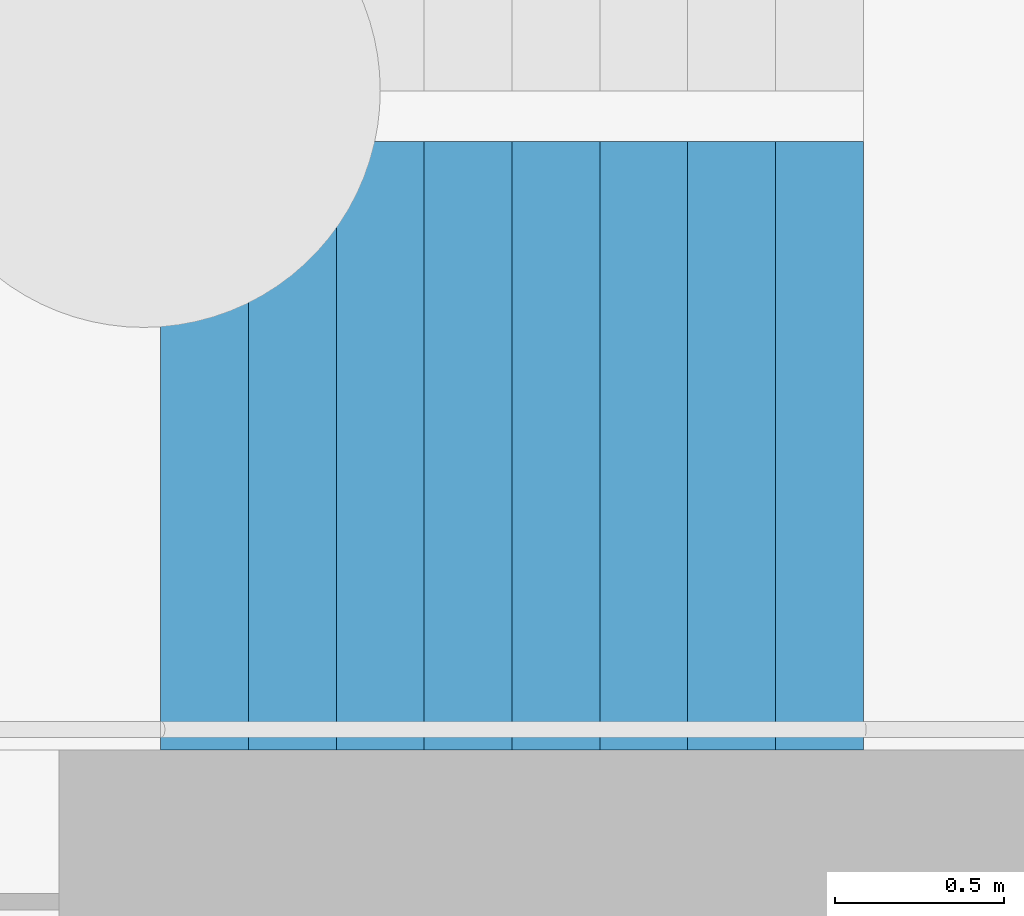
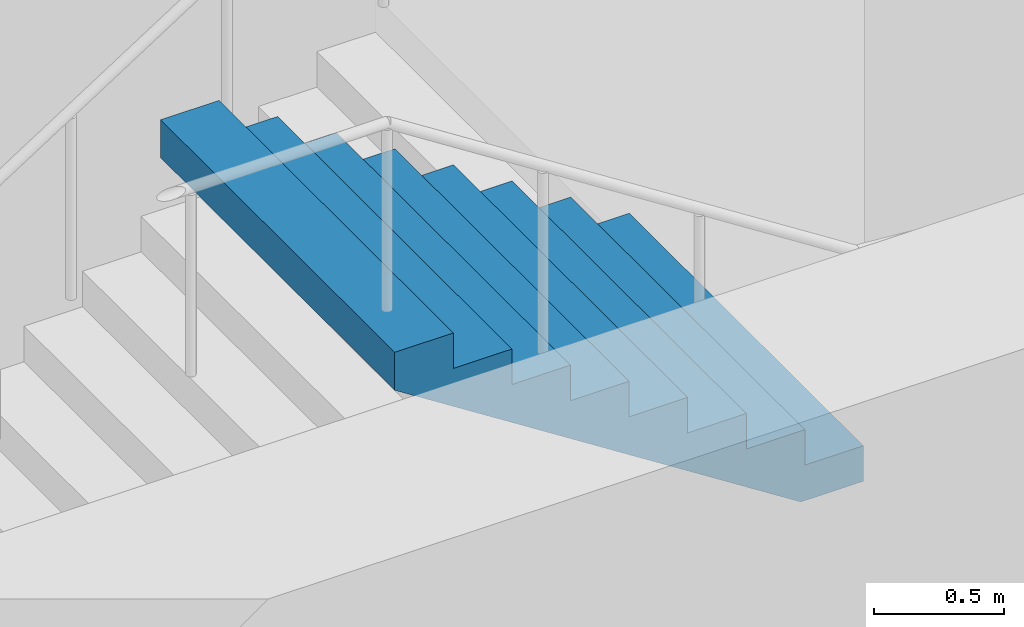
# One storey, part 70 of 113: 1 stair flight, 1 element without a shape of its own.
"""IFC4 building model written with IfcOpenShell, lengths in metres."""

from ifc_helpers import new_model, si_unit, direction, frame, origin, place, context, subcontext, project, spatial, triangles, material, type_object, element, aggregate, save


model = new_model("IFC4")

# Units and contexts
model_context = context("Model", 3, precision=1e-05, world=origin(), true_north=direction((0.0, 1.0)))
body_context = subcontext(model_context, "Body", "Model", "MODEL_VIEW")
ifc_project = project(units=[si_unit("LENGTHUNIT", "METRE"), si_unit("AREAUNIT", "SQUARE_METRE"), si_unit("VOLUMEUNIT", "CUBIC_METRE"), si_unit("PLANEANGLEUNIT", "RADIAN"), si_unit("MASSUNIT", "GRAM", prefix="KILO")], contexts=[model_context])

# Site, building, storey
site_placement = place(None, origin())
site = spatial("IfcSite", under=ifc_project, at=site_placement, CompositionType="ELEMENT")
building_placement = place(site_placement, origin())
building = spatial("IfcBuilding", under=site, at=building_placement, Name="Hakoniwa Tower and Hamabe Station Hall", CompositionType="ELEMENT")
storey_placement = place(building_placement, origin())
storey = spatial("IfcBuildingStorey", under=building, at=storey_placement, Name="L01", CompositionType="ELEMENT", Elevation=0.0)

# Stair, stair flight
ifc_material_1 = material(Name="Concrete C40", Category="concrete")
stair_type = type_object("IfcStairType", Name="ESCAPE STAIR 1800", PredefinedType="HALF_TURN_STAIR", material=ifc_material_1)
stair_placement = place(storey_placement, origin())
stair = element("IfcStair", 1, at=stair_placement, inside=storey, type_object=stair_type, Name="Escape stair ST-4 L01", PredefinedType="HALF_TURN_STAIR")
ifc_material_2 = material(Name="Concrete C40", Category="concrete")
stair_flight_type = type_object("IfcStairFlightType", Name="STAIR FLIGHT 1800", PredefinedType="STRAIGHT", material=ifc_material_2)
stair_flight_placement = place(storey_placement, frame((25.47998046875, -6.60009765625, 7.5), z_axis=(0.0, 0.0, 1.0), x_axis=(-1.0, 0.0, 0.0)))
stair_flight = element("IfcStairFlight", 2, at=stair_flight_placement, type_object=stair_flight_type, Name="ST-4 flight 6", NumberOfRisers=9, NumberOfTreads=8, PredefinedType="STRAIGHT", RiserHeight=0.166666667, TreadLength=0.26, context=body_context, shape_type="Tessellation", body=[
    triangles([(0.0, 0.89990234375, 0.0), (0.260009765625, 0.89990234375, 0.0), (0.27783203125, 0.89990234375, 0.0), (0.52001953125, 0.89990234375, 0.1552734375), (0.780029296875, 0.89990234375, 0.322021484375), (1.0400390625, 0.89990234375, 0.488525390625), (1.300048828125, 0.89990234375, 0.6552734375), (1.56005859375, 0.89990234375, 0.822021484375), (1.820068359375, 0.89990234375, 0.988525390625), (2.080078125, 0.89990234375, 1.1552734375), (2.080078125, 0.89990234375, 1.333251953125), (1.820068359375, 0.89990234375, 1.333251953125), (1.820068359375, 0.89990234375, 1.166748046875), (1.56005859375, 0.89990234375, 1.166748046875), (1.56005859375, 0.89990234375, 1.0), (1.300048828125, 0.89990234375, 1.0), (1.300048828125, 0.89990234375, 0.833251953125), (1.0400390625, 0.89990234375, 0.833251953125), (1.0400390625, 0.89990234375, 0.666748046875), (0.780029296875, 0.89990234375, 0.666748046875), (0.780029296875, 0.89990234375, 0.5), (0.52001953125, 0.89990234375, 0.5), (0.52001953125, 0.89990234375, 0.333251953125), (0.27783203125, 0.89990234375, 0.333251953125), (0.260009765625, 0.89990234375, 0.333251953125), (0.260009765625, 0.89990234375, 0.166748046875), (0.0, 0.89990234375, 0.166748046875), (0.0, 0.06005859375, 0.0), (0.260009765625, 0.06005859375, 0.0), (0.27783203125, 0.06005859375, 0.0), (0.52001953125, 0.06005859375, 0.1552734375), (0.780029296875, 0.06005859375, 0.322021484375), (1.0400390625, 0.06005859375, 0.488525390625), (1.300048828125, 0.06005859375, 0.6552734375), (1.56005859375, 0.06005859375, 0.822021484375), (1.820068359375, 0.06005859375, 0.988525390625), (2.080078125, 0.06005859375, 1.1552734375), (2.080078125, 0.06005859375, 1.333251953125), (1.820068359375, 0.06005859375, 1.333251953125), (1.820068359375, 0.06005859375, 1.166748046875), (1.56005859375, 0.06005859375, 1.166748046875), (1.56005859375, 0.06005859375, 1.0), (1.300048828125, 0.06005859375, 1.0), (1.300048828125, 0.06005859375, 0.833251953125), (1.0400390625, 0.06005859375, 0.833251953125), (1.0400390625, 0.06005859375, 0.666748046875), (0.780029296875, 0.06005859375, 0.666748046875), (0.780029296875, 0.06005859375, 0.5), (0.52001953125, 0.06005859375, 0.5), (0.52001953125, 0.06005859375, 0.333251953125), (0.27783203125, 0.06005859375, 0.333251953125), (0.260009765625, 0.06005859375, 0.333251953125), (0.260009765625, 0.06005859375, 0.166748046875), (0.0, 0.06005859375, 0.166748046875), (0.0, 0.04296875, 0.0), (0.260009765625, 0.04296875, 0.0), (0.27783203125, 0.04296875, 0.0), (0.52001953125, 0.04296875, 0.1552734375), (0.780029296875, 0.04296875, 0.322021484375), (1.0400390625, 0.04296875, 0.488525390625), (1.300048828125, 0.04296875, 0.6552734375), (1.56005859375, 0.04296875, 0.822021484375), (1.820068359375, 0.04296875, 0.988525390625), (2.080078125, 0.04296875, 1.1552734375), (2.080078125, 0.04296875, 1.333251953125), (1.820068359375, 0.04296875, 1.333251953125), (1.820068359375, 0.04296875, 1.166748046875), (1.56005859375, 0.04296875, 1.166748046875), (1.56005859375, 0.04296875, 1.0), (1.300048828125, 0.04296875, 1.0), (1.300048828125, 0.04296875, 0.833251953125), (1.0400390625, 0.04296875, 0.833251953125), (1.0400390625, 0.04296875, 0.666748046875), (0.780029296875, 0.04296875, 0.666748046875), (0.780029296875, 0.04296875, 0.5), (0.52001953125, 0.04296875, 0.5), (0.52001953125, 0.04296875, 0.333251953125), (0.27783203125, 0.04296875, 0.333251953125), (0.260009765625, 0.04296875, 0.333251953125), (0.260009765625, 0.04296875, 0.166748046875), (0.0, 0.04296875, 0.166748046875), (0.0, 0.025634765625, 0.0), (0.260009765625, 0.025634765625, 0.0), (0.27783203125, 0.025634765625, 0.0), (0.52001953125, 0.025634765625, 0.1552734375), (0.780029296875, 0.025634765625, 0.322021484375), (1.0400390625, 0.025634765625, 0.488525390625), (1.300048828125, 0.025634765625, 0.6552734375), (1.56005859375, 0.025634765625, 0.822021484375), (1.820068359375, 0.025634765625, 0.988525390625), (2.080078125, 0.025634765625, 1.1552734375), (2.080078125, 0.025634765625, 1.333251953125), (1.820068359375, 0.025634765625, 1.333251953125), (1.820068359375, 0.025634765625, 1.166748046875), (1.56005859375, 0.025634765625, 1.166748046875), (1.56005859375, 0.025634765625, 1.0), (1.300048828125, 0.025634765625, 1.0), (1.300048828125, 0.025634765625, 0.833251953125), (1.0400390625, 0.025634765625, 0.833251953125), (1.0400390625, 0.025634765625, 0.666748046875), (0.780029296875, 0.025634765625, 0.666748046875), (0.780029296875, 0.025634765625, 0.5), (0.52001953125, 0.025634765625, 0.5), (0.52001953125, 0.025634765625, 0.333251953125), (0.27783203125, 0.025634765625, 0.333251953125), (0.260009765625, 0.025634765625, 0.333251953125), (0.260009765625, 0.025634765625, 0.166748046875), (0.0, 0.025634765625, 0.166748046875), (0.0, 0.008544921875, 0.0), (0.260009765625, 0.008544921875, 0.0), (0.27783203125, 0.008544921875, 0.0), (0.52001953125, 0.008544921875, 0.1552734375), (0.780029296875, 0.008544921875, 0.322021484375), (1.0400390625, 0.008544921875, 0.488525390625), (1.300048828125, 0.008544921875, 0.6552734375), (1.56005859375, 0.008544921875, 0.822021484375), (1.820068359375, 0.008544921875, 0.988525390625), (2.080078125, 0.008544921875, 1.1552734375), (2.080078125, 0.008544921875, 1.333251953125), (1.820068359375, 0.008544921875, 1.333251953125), (1.820068359375, 0.008544921875, 1.166748046875), (1.56005859375, 0.008544921875, 1.166748046875), (1.56005859375, 0.008544921875, 1.0), (1.300048828125, 0.008544921875, 1.0), (1.300048828125, 0.008544921875, 0.833251953125), (1.0400390625, 0.008544921875, 0.833251953125), (1.0400390625, 0.008544921875, 0.666748046875), (0.780029296875, 0.008544921875, 0.666748046875), (0.780029296875, 0.008544921875, 0.5), (0.52001953125, 0.008544921875, 0.5), (0.52001953125, 0.008544921875, 0.333251953125), (0.27783203125, 0.008544921875, 0.333251953125), (0.260009765625, 0.008544921875, 0.333251953125), (0.260009765625, 0.008544921875, 0.166748046875), (0.0, 0.008544921875, 0.166748046875), (0.0, -0.008544921875, 0.0), (0.260009765625, -0.008544921875, 0.0), (0.27783203125, -0.008544921875, 0.0), (0.52001953125, -0.008544921875, 0.1552734375), (0.780029296875, -0.008544921875, 0.322021484375), (1.0400390625, -0.008544921875, 0.488525390625), (1.300048828125, -0.008544921875, 0.6552734375), (1.56005859375, -0.008544921875, 0.822021484375), (1.820068359375, -0.008544921875, 0.988525390625), (2.080078125, -0.008544921875, 1.1552734375), (2.080078125, -0.008544921875, 1.333251953125), (1.820068359375, -0.008544921875, 1.333251953125), (1.820068359375, -0.008544921875, 1.166748046875), (1.56005859375, -0.008544921875, 1.166748046875), (1.56005859375, -0.008544921875, 1.0), (1.300048828125, -0.008544921875, 1.0), (1.300048828125, -0.008544921875, 0.833251953125), (1.0400390625, -0.008544921875, 0.833251953125), (1.0400390625, -0.008544921875, 0.666748046875), (0.780029296875, -0.008544921875, 0.666748046875), (0.780029296875, -0.008544921875, 0.5), (0.52001953125, -0.008544921875, 0.5), (0.52001953125, -0.008544921875, 0.333251953125), (0.27783203125, -0.008544921875, 0.333251953125), (0.260009765625, -0.008544921875, 0.333251953125), (0.260009765625, -0.008544921875, 0.166748046875), (0.0, -0.008544921875, 0.166748046875), (0.0, -0.025634765625, 0.0), (0.260009765625, -0.025634765625, 0.0), (0.27783203125, -0.025634765625, 0.0), (0.52001953125, -0.025634765625, 0.1552734375), (0.780029296875, -0.025634765625, 0.322021484375), (1.0400390625, -0.025634765625, 0.488525390625), (1.300048828125, -0.025634765625, 0.6552734375), (1.56005859375, -0.025634765625, 0.822021484375), (1.820068359375, -0.025634765625, 0.988525390625), (2.080078125, -0.025634765625, 1.1552734375), (2.080078125, -0.025634765625, 1.333251953125), (1.820068359375, -0.025634765625, 1.333251953125), (1.820068359375, -0.025634765625, 1.166748046875), (1.56005859375, -0.025634765625, 1.166748046875), (1.56005859375, -0.025634765625, 1.0), (1.300048828125, -0.025634765625, 1.0), (1.300048828125, -0.025634765625, 0.833251953125), (1.0400390625, -0.025634765625, 0.833251953125), (1.0400390625, -0.025634765625, 0.666748046875), (0.780029296875, -0.025634765625, 0.666748046875), (0.780029296875, -0.025634765625, 0.5), (0.52001953125, -0.025634765625, 0.5), (0.52001953125, -0.025634765625, 0.333251953125), (0.27783203125, -0.025634765625, 0.333251953125), (0.260009765625, -0.025634765625, 0.333251953125), (0.260009765625, -0.025634765625, 0.166748046875), (0.0, -0.025634765625, 0.166748046875), (0.0, -0.04296875, 0.0), (0.260009765625, -0.04296875, 0.0), (0.27783203125, -0.04296875, 0.0), (0.52001953125, -0.04296875, 0.1552734375), (0.780029296875, -0.04296875, 0.322021484375), (1.0400390625, -0.04296875, 0.488525390625), (1.300048828125, -0.04296875, 0.6552734375), (1.56005859375, -0.04296875, 0.822021484375), (1.820068359375, -0.04296875, 0.988525390625), (2.080078125, -0.04296875, 1.1552734375), (2.080078125, -0.04296875, 1.333251953125), (1.820068359375, -0.04296875, 1.333251953125), (1.820068359375, -0.04296875, 1.166748046875), (1.56005859375, -0.04296875, 1.166748046875), (1.56005859375, -0.04296875, 1.0), (1.300048828125, -0.04296875, 1.0), (1.300048828125, -0.04296875, 0.833251953125), (1.0400390625, -0.04296875, 0.833251953125), (1.0400390625, -0.04296875, 0.666748046875), (0.780029296875, -0.04296875, 0.666748046875), (0.780029296875, -0.04296875, 0.5), (0.52001953125, -0.04296875, 0.5), (0.52001953125, -0.04296875, 0.333251953125), (0.27783203125, -0.04296875, 0.333251953125), (0.260009765625, -0.04296875, 0.333251953125), (0.260009765625, -0.04296875, 0.166748046875), (0.0, -0.04296875, 0.166748046875), (0.0, -0.06005859375, 0.0), (0.260009765625, -0.06005859375, 0.0), (0.27783203125, -0.06005859375, 0.0), (0.52001953125, -0.06005859375, 0.1552734375), (0.780029296875, -0.06005859375, 0.322021484375), (1.0400390625, -0.06005859375, 0.488525390625), (1.300048828125, -0.06005859375, 0.6552734375), (1.56005859375, -0.06005859375, 0.822021484375), (1.820068359375, -0.06005859375, 0.988525390625), (2.080078125, -0.06005859375, 1.1552734375), (2.080078125, -0.06005859375, 1.333251953125), (1.820068359375, -0.06005859375, 1.333251953125), (1.820068359375, -0.06005859375, 1.166748046875), (1.56005859375, -0.06005859375, 1.166748046875), (1.56005859375, -0.06005859375, 1.0), (1.300048828125, -0.06005859375, 1.0), (1.300048828125, -0.06005859375, 0.833251953125), (1.0400390625, -0.06005859375, 0.833251953125), (1.0400390625, -0.06005859375, 0.666748046875), (0.780029296875, -0.06005859375, 0.666748046875), (0.780029296875, -0.06005859375, 0.5), (0.52001953125, -0.06005859375, 0.5), (0.52001953125, -0.06005859375, 0.333251953125), (0.27783203125, -0.06005859375, 0.333251953125), (0.260009765625, -0.06005859375, 0.333251953125), (0.260009765625, -0.06005859375, 0.166748046875), (0.0, -0.06005859375, 0.166748046875), (0.0, -0.89990234375, 0.0), (0.260009765625, -0.89990234375, 0.0), (0.27783203125, -0.89990234375, 0.0), (0.52001953125, -0.89990234375, 0.1552734375), (0.780029296875, -0.89990234375, 0.322021484375), (1.0400390625, -0.89990234375, 0.488525390625), (1.300048828125, -0.89990234375, 0.6552734375), (1.56005859375, -0.89990234375, 0.822021484375), (1.820068359375, -0.89990234375, 0.988525390625), (2.080078125, -0.89990234375, 1.1552734375), (2.080078125, -0.89990234375, 1.333251953125), (1.820068359375, -0.89990234375, 1.333251953125), (1.820068359375, -0.89990234375, 1.166748046875), (1.56005859375, -0.89990234375, 1.166748046875), (1.56005859375, -0.89990234375, 1.0), (1.300048828125, -0.89990234375, 1.0), (1.300048828125, -0.89990234375, 0.833251953125), (1.0400390625, -0.89990234375, 0.833251953125), (1.0400390625, -0.89990234375, 0.666748046875), (0.780029296875, -0.89990234375, 0.666748046875), (0.780029296875, -0.89990234375, 0.5), (0.52001953125, -0.89990234375, 0.5), (0.52001953125, -0.89990234375, 0.333251953125), (0.27783203125, -0.89990234375, 0.333251953125), (0.260009765625, -0.89990234375, 0.333251953125), (0.260009765625, -0.89990234375, 0.166748046875), (0.0, -0.89990234375, 0.166748046875)], [[2, 27, 26], [245, 269, 270], [2, 1, 27], [245, 270, 244], [3, 25, 24], [246, 267, 268], [3, 26, 25], [246, 268, 269], [3, 2, 26], [246, 269, 245], [4, 24, 23], [247, 266, 267], [4, 3, 24], [247, 267, 246], [5, 22, 21], [248, 264, 265], [5, 23, 22], [248, 265, 266], [5, 4, 23], [248, 266, 247], [6, 20, 19], [249, 262, 263], [6, 21, 20], [249, 263, 264], [6, 5, 21], [249, 264, 248], [7, 18, 17], [250, 260, 261], [7, 19, 18], [250, 261, 262], [7, 6, 19], [250, 262, 249], [8, 16, 15], [251, 258, 259], [8, 17, 16], [251, 259, 260], [8, 7, 17], [251, 260, 250], [9, 14, 13], [252, 256, 257], [9, 15, 14], [252, 257, 258], [9, 8, 15], [252, 258, 251], [10, 12, 11], [253, 254, 255], [10, 13, 12], [253, 255, 256], [10, 9, 13], [253, 256, 252], [1, 2, 29], [1, 29, 28], [28, 29, 56], [28, 56, 55], [55, 56, 83], [55, 83, 82], [82, 83, 110], [82, 110, 109], [109, 110, 137], [109, 137, 136], [136, 137, 164], [136, 164, 163], [163, 164, 191], [163, 191, 190], [190, 191, 218], [190, 218, 217], [217, 218, 245], [217, 245, 244], [2, 3, 30], [2, 30, 29], [29, 30, 57], [29, 57, 56], [56, 57, 84], [56, 84, 83], [83, 84, 111], [83, 111, 110], [110, 111, 138], [110, 138, 137], [137, 138, 165], [137, 165, 164], [164, 165, 192], [164, 192, 191], [191, 192, 219], [191, 219, 218], [218, 219, 246], [218, 246, 245], [3, 4, 31], [3, 31, 30], [30, 31, 58], [30, 58, 57], [57, 58, 85], [57, 85, 84], [84, 85, 112], [84, 112, 111], [111, 112, 139], [111, 139, 138], [138, 139, 166], [138, 166, 165], [165, 166, 193], [165, 193, 192], [192, 193, 220], [192, 220, 219], [219, 220, 247], [219, 247, 246], [4, 5, 32], [4, 32, 31], [31, 32, 59], [31, 59, 58], [58, 59, 86], [58, 86, 85], [85, 86, 113], [85, 113, 112], [112, 113, 140], [112, 140, 139], [139, 140, 167], [139, 167, 166], [166, 167, 194], [166, 194, 193], [193, 194, 221], [193, 221, 220], [220, 221, 248], [220, 248, 247], [5, 6, 33], [5, 33, 32], [32, 33, 60], [32, 60, 59], [59, 60, 87], [59, 87, 86], [86, 87, 114], [86, 114, 113], [113, 114, 141], [113, 141, 140], [140, 141, 168], [140, 168, 167], [167, 168, 195], [167, 195, 194], [194, 195, 222], [194, 222, 221], [221, 222, 249], [221, 249, 248], [6, 7, 34], [6, 34, 33], [33, 34, 61], [33, 61, 60], [60, 61, 88], [60, 88, 87], [87, 88, 115], [87, 115, 114], [114, 115, 142], [114, 142, 141], [141, 142, 169], [141, 169, 168], [168, 169, 196], [168, 196, 195], [195, 196, 223], [195, 223, 222], [222, 223, 250], [222, 250, 249], [7, 8, 35], [7, 35, 34], [34, 35, 62], [34, 62, 61], [61, 62, 89], [61, 89, 88], [88, 89, 116], [88, 116, 115], [115, 116, 143], [115, 143, 142], [142, 143, 170], [142, 170, 169], [169, 170, 197], [169, 197, 196], [196, 197, 224], [196, 224, 223], [223, 224, 251], [223, 251, 250], [8, 9, 36], [8, 36, 35], [35, 36, 63], [35, 63, 62], [62, 63, 90], [62, 90, 89], [89, 90, 117], [89, 117, 116], [116, 117, 144], [116, 144, 143], [143, 144, 171], [143, 171, 170], [170, 171, 198], [170, 198, 197], [197, 198, 225], [197, 225, 224], [224, 225, 252], [224, 252, 251], [9, 10, 37], [9, 37, 36], [36, 37, 64], [36, 64, 63], [63, 64, 91], [63, 91, 90], [90, 91, 118], [90, 118, 117], [117, 118, 145], [117, 145, 144], [144, 145, 172], [144, 172, 171], [171, 172, 199], [171, 199, 198], [198, 199, 226], [198, 226, 225], [225, 226, 253], [225, 253, 252], [10, 11, 38], [10, 38, 37], [37, 38, 65], [37, 65, 64], [64, 65, 92], [64, 92, 91], [91, 92, 119], [91, 119, 118], [118, 119, 146], [118, 146, 145], [145, 146, 173], [145, 173, 172], [172, 173, 200], [172, 200, 199], [199, 200, 227], [199, 227, 226], [226, 227, 254], [226, 254, 253], [11, 12, 39], [11, 39, 38], [38, 39, 66], [38, 66, 65], [65, 66, 93], [65, 93, 92], [92, 93, 120], [92, 120, 119], [119, 120, 147], [119, 147, 146], [146, 147, 174], [146, 174, 173], [173, 174, 201], [173, 201, 200], [200, 201, 228], [200, 228, 227], [227, 228, 255], [227, 255, 254], [12, 13, 40], [12, 40, 39], [39, 40, 67], [39, 67, 66], [66, 67, 94], [66, 94, 93], [93, 94, 121], [93, 121, 120], [120, 121, 148], [120, 148, 147], [147, 148, 175], [147, 175, 174], [174, 175, 202], [174, 202, 201], [201, 202, 229], [201, 229, 228], [228, 229, 256], [228, 256, 255], [13, 14, 41], [13, 41, 40], [40, 41, 68], [40, 68, 67], [67, 68, 95], [67, 95, 94], [94, 95, 122], [94, 122, 121], [121, 122, 149], [121, 149, 148], [148, 149, 176], [148, 176, 175], [175, 176, 203], [175, 203, 202], [202, 203, 230], [202, 230, 229], [229, 230, 257], [229, 257, 256], [14, 15, 42], [14, 42, 41], [41, 42, 69], [41, 69, 68], [68, 69, 96], [68, 96, 95], [95, 96, 123], [95, 123, 122], [122, 123, 150], [122, 150, 149], [149, 150, 177], [149, 177, 176], [176, 177, 204], [176, 204, 203], [203, 204, 231], [203, 231, 230], [230, 231, 258], [230, 258, 257], [15, 16, 43], [15, 43, 42], [42, 43, 70], [42, 70, 69], [69, 70, 97], [69, 97, 96], [96, 97, 124], [96, 124, 123], [123, 124, 151], [123, 151, 150], [150, 151, 178], [150, 178, 177], [177, 178, 205], [177, 205, 204], [204, 205, 232], [204, 232, 231], [231, 232, 259], [231, 259, 258], [16, 17, 44], [16, 44, 43], [43, 44, 71], [43, 71, 70], [70, 71, 98], [70, 98, 97], [97, 98, 125], [97, 125, 124], [124, 125, 152], [124, 152, 151], [151, 152, 179], [151, 179, 178], [178, 179, 206], [178, 206, 205], [205, 206, 233], [205, 233, 232], [232, 233, 260], [232, 260, 259], [17, 18, 45], [17, 45, 44], [44, 45, 72], [44, 72, 71], [71, 72, 99], [71, 99, 98], [98, 99, 126], [98, 126, 125], [125, 126, 153], [125, 153, 152], [152, 153, 180], [152, 180, 179], [179, 180, 207], [179, 207, 206], [206, 207, 234], [206, 234, 233], [233, 234, 261], [233, 261, 260], [18, 19, 46], [18, 46, 45], [45, 46, 73], [45, 73, 72], [72, 73, 100], [72, 100, 99], [99, 100, 127], [99, 127, 126], [126, 127, 154], [126, 154, 153], [153, 154, 181], [153, 181, 180], [180, 181, 208], [180, 208, 207], [207, 208, 235], [207, 235, 234], [234, 235, 262], [234, 262, 261], [19, 20, 47], [19, 47, 46], [46, 47, 74], [46, 74, 73], [73, 74, 101], [73, 101, 100], [100, 101, 128], [100, 128, 127], [127, 128, 155], [127, 155, 154], [154, 155, 182], [154, 182, 181], [181, 182, 209], [181, 209, 208], [208, 209, 236], [208, 236, 235], [235, 236, 263], [235, 263, 262], [20, 21, 48], [20, 48, 47], [47, 48, 75], [47, 75, 74], [74, 75, 102], [74, 102, 101], [101, 102, 129], [101, 129, 128], [128, 129, 156], [128, 156, 155], [155, 156, 183], [155, 183, 182], [182, 183, 210], [182, 210, 209], [209, 210, 237], [209, 237, 236], [236, 237, 264], [236, 264, 263], [21, 22, 49], [21, 49, 48], [48, 49, 76], [48, 76, 75], [75, 76, 103], [75, 103, 102], [102, 103, 130], [102, 130, 129], [129, 130, 157], [129, 157, 156], [156, 157, 184], [156, 184, 183], [183, 184, 211], [183, 211, 210], [210, 211, 238], [210, 238, 237], [237, 238, 265], [237, 265, 264], [22, 23, 50], [22, 50, 49], [49, 50, 77], [49, 77, 76], [76, 77, 104], [76, 104, 103], [103, 104, 131], [103, 131, 130], [130, 131, 158], [130, 158, 157], [157, 158, 185], [157, 185, 184], [184, 185, 212], [184, 212, 211], [211, 212, 239], [211, 239, 238], [238, 239, 266], [238, 266, 265], [23, 24, 51], [23, 51, 50], [50, 51, 78], [50, 78, 77], [77, 78, 105], [77, 105, 104], [104, 105, 132], [104, 132, 131], [131, 132, 159], [131, 159, 158], [158, 159, 186], [158, 186, 185], [185, 186, 213], [185, 213, 212], [212, 213, 240], [212, 240, 239], [239, 240, 267], [239, 267, 266], [24, 25, 52], [24, 52, 51], [51, 52, 79], [51, 79, 78], [78, 79, 106], [78, 106, 105], [105, 106, 133], [105, 133, 132], [132, 133, 160], [132, 160, 159], [159, 160, 187], [159, 187, 186], [186, 187, 214], [186, 214, 213], [213, 214, 241], [213, 241, 240], [240, 241, 268], [240, 268, 267], [25, 26, 53], [25, 53, 52], [52, 53, 80], [52, 80, 79], [79, 80, 107], [79, 107, 106], [106, 107, 134], [106, 134, 133], [133, 134, 161], [133, 161, 160], [160, 161, 188], [160, 188, 187], [187, 188, 215], [187, 215, 214], [214, 215, 242], [214, 242, 241], [241, 242, 269], [241, 269, 268], [26, 27, 54], [26, 54, 53], [53, 54, 81], [53, 81, 80], [80, 81, 108], [80, 108, 107], [107, 108, 135], [107, 135, 134], [134, 135, 162], [134, 162, 161], [161, 162, 189], [161, 189, 188], [188, 189, 216], [188, 216, 215], [215, 216, 243], [215, 243, 242], [242, 243, 270], [242, 270, 269], [27, 1, 28], [27, 28, 54], [54, 28, 55], [54, 55, 81], [81, 55, 82], [81, 82, 108], [108, 82, 109], [108, 109, 135], [135, 109, 136], [135, 136, 162], [162, 136, 163], [162, 163, 189], [189, 163, 190], [189, 190, 216], [216, 190, 217], [216, 217, 243], [243, 217, 244], [243, 244, 270]], closed=True),
])
aggregate(stair, [stair_flight])

save(model, "model.ifc")
